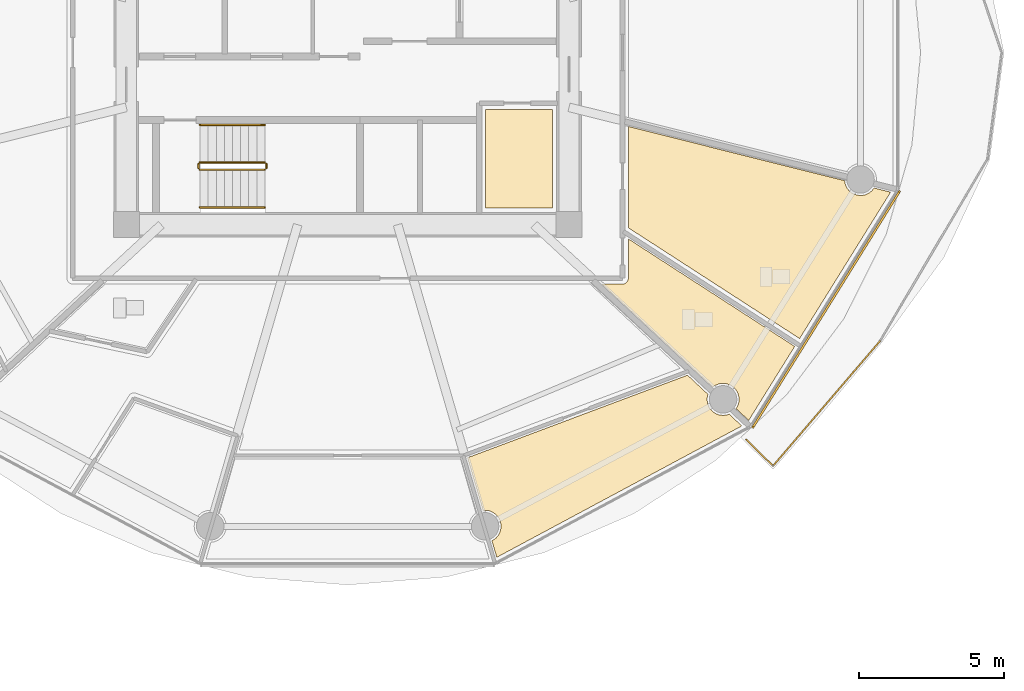
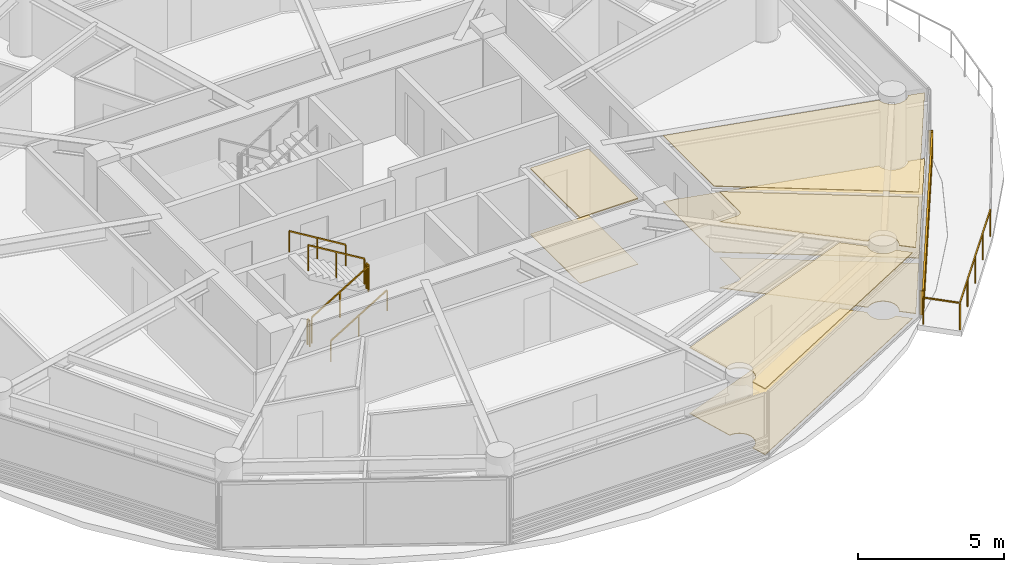
# One storey, part 27 of 31: 8 coverings, 7 railings, 1 shading device.
"""IFC4 building model written with IfcOpenShell, lengths in metres."""

from ifc_helpers import new_model, si_unit, direction, frame, origin, origin_2d, place, context, subcontext, project, spatial, polyline, rectangle, outline, extrude, source, transform, mapped, material, layer, layer_set, type_object, type_shapes, element, save


model = new_model("IFC4")

# Units and contexts
model_context = context("Model", 3, precision=1e-05, world=origin(), true_north=direction((0.0, 1.0)))
body_context = subcontext(model_context, "Body", "Model", "MODEL_VIEW")
ifc_project = project(units=[si_unit("LENGTHUNIT", "METRE"), si_unit("AREAUNIT", "SQUARE_METRE"), si_unit("VOLUMEUNIT", "CUBIC_METRE"), si_unit("PLANEANGLEUNIT", "RADIAN"), si_unit("MASSUNIT", "GRAM", prefix="KILO")], contexts=[model_context])

# Site, building, storey
site_placement = place(None, origin())
site = spatial("IfcSite", under=ifc_project, at=site_placement, CompositionType="ELEMENT")
building_placement = place(site_placement, origin())
building = spatial("IfcBuilding", under=site, at=building_placement, Name="Norrkilde Senior Care Towers", CompositionType="ELEMENT")
storey_placement = place(building_placement, frame((0.0, 0.0, 42.949951171875)))
storey = spatial("IfcBuildingStorey", under=building, at=storey_placement, Name="L12", CompositionType="ELEMENT", Elevation=42.949951171875)

# Coverings
ifc_material_1 = material(Name="Nordic Ash Timber", Category="wood")
ifc_layer_1 = layer(ifc_material_1, 0.044921875)
ifc_layer_set_1 = layer_set([ifc_layer_1], Name="Nordic Ash Timber")
covering_type_1 = type_object("IfcCoveringType", Name="Acoustic Ash Timber Slatted Ceiling 45", PredefinedType="CEILING", material=ifc_layer_set_1)
covering_1_placement = place(storey_placement, frame((0.0, 0.0, 2.7451171875)))
element("IfcCovering", 1, at=covering_1_placement, inside=storey, type_object=covering_type_1, Name="L12 Suspended Ceiling 0189", PredefinedType="CEILING", context=body_context, shape_type="SweptSolid", body=[
    extrude(outline(polyline([(32.77001953125, -5.3798828125), (32.77001953125, -1.969970703125), (35.080078125, -1.969970703125), (35.080078125, -5.3798828125), (32.77001953125, -5.3798828125)])), origin(), (0.0, 0.0, 1.0), 0.044921875),
])
covering_2_placement = place(storey_placement, frame((0.0, 0.0, 2.7451171875)))
element("IfcCovering", 2, at=covering_2_placement, inside=storey, type_object=covering_type_1, Name="L12 Suspended Ceiling 0200", PredefinedType="CEILING", context=body_context, shape_type="SweptSolid", body=[
    extrude(outline(polyline([(33.1552734375, -17.443603515625), (32.986572265625, -16.86962890625), (33.02685546875, -16.85302734375), (33.141845703125, -16.764892578125), (33.22998046875, -16.64990234375), (33.285400390625, -16.51611328125), (33.304443359375, -16.37255859375), (33.285400390625, -16.228759765625), (33.22998046875, -16.094970703125), (33.141845703125, -15.97998046875), (33.02685546875, -15.891845703125), (32.89306640625, -15.83642578125), (32.749267578125, -15.8173828125), (32.679931640625, -15.82666015625), (32.143798828125, -14.00341796875), (39.744873046875, -11.1494140625), (40.4521484375, -11.810791015625), (40.439208984375, -11.841796875), (40.42041015625, -11.9853515625), (40.439208984375, -12.129150390625), (40.494873046875, -12.262939453125), (40.5830078125, -12.3779296875), (40.697998046875, -12.466064453125), (40.831787109375, -12.521484375), (40.975341796875, -12.54052734375), (41.119140625, -12.521484375), (41.183349609375, -12.494873046875), (41.62109375, -12.904296875), (33.1552734375, -17.443603515625)])), origin(), (0.0, 0.0, 1.0), 0.044921875),
])

# Railing
ifc_material_2 = material(Name="Anodised Aluminium", Category="aluminium")
railing_type_1 = type_object("IfcRailingType", Name="Balcony Swirl Ribbon Guardrail 1150", PredefinedType="GUARDRAIL", material=ifc_material_2)
railing_1_placement = place(storey_placement, frame((46.400146484375, -9.968017578125, 0.0)))
element("IfcRailing", 3, at=railing_1_placement, inside=storey, type_object=railing_type_1, Name="L12 Perimeter Safety Guard 01", PredefinedType="GUARDRAIL", context=body_context, shape_type="SweptSolid", body=[
    extrude(rectangle(XDim=0.048095703125, YDim=0.048095703125, at=origin_2d()), frame((0.0, 0.0, 1.1259765625), z_axis=(-0.650671125119, -0.759359655853, 0.0), x_axis=(0.759359655853, -0.650671125119, 0.0)), (0.0, 0.0, 1.0), 5.644287109375),
    extrude(rectangle(XDim=0.048095703125, YDim=0.048095703125, at=origin_2d()), frame((-3.728515625, -4.28857421875, 1.1259765625), z_axis=(-0.714461691067, 0.699674561491, 0.0), x_axis=(-0.699674561491, -0.714461691067, 0.0)), (0.0, 0.0, 1.0), 1.263427734375),
    extrude(rectangle(XDim=0.0419921875, YDim=0.0419921875, at=origin_2d()), origin(), (0.0, 0.0, 1.0), 1.099853515625),
    extrude(rectangle(XDim=0.0419921875, YDim=0.0419921875, at=origin_2d()), frame((-0.9248046875, -1.079345703125, 0.0)), (0.0, 0.0, 1.0), 1.099853515625),
    extrude(rectangle(XDim=0.0419921875, YDim=0.0419921875, at=origin_2d()), frame((-1.849609375, -2.15869140625, 0.0)), (0.0, 0.0, 1.0), 1.099853515625),
    extrude(rectangle(XDim=0.0419921875, YDim=0.0419921875, at=origin_2d()), frame((-2.7744140625, -3.23779296875, 0.0)), (0.0, 0.0, 1.0), 1.099853515625),
    extrude(rectangle(XDim=0.0419921875, YDim=0.0419921875, at=origin_2d()), frame((-3.69921875, -4.317138671875, 0.0)), (0.0, 0.0, 1.0), 1.099853515625),
    extrude(rectangle(XDim=0.0419921875, YDim=0.0419921875, at=origin_2d()), frame((-4.631103515625, -3.404541015625, 0.0)), (0.0, 0.0, 1.0), 1.099853515625),
])

# Coverings
ifc_material_3 = material(Name="Gypsum Acoustic Board")
ifc_layer_2 = layer(ifc_material_3, 0.030029296875)
ifc_layer_set_2 = layer_set([ifc_layer_2], Name="Gypsum Acoustic Board")
covering_type_2 = type_object("IfcCoveringType", Name="Medical Cleanable Gypsum Ceiling 30", PredefinedType="CEILING", material=ifc_layer_set_2)
covering_3_placement = place(storey_placement, frame((0.0, 0.0, 2.760009765625)))
element("IfcCovering", 4, at=covering_3_placement, inside=storey, type_object=covering_type_2, Name="L12 Suspended Ceiling 0201", PredefinedType="CEILING", context=body_context, shape_type="SweptSolid", body=[
    extrude(outline(polyline([(37.533203125, -7.9970703125), (37.544677734375, -7.994873046875), (37.552490234375, -7.992919921875), (37.563720703125, -7.989501953125), (37.571044921875, -7.98681640625), (37.58203125, -7.982421875), (37.589111328125, -7.97900390625), (37.599365234375, -7.973388671875), (37.606201171875, -7.969482421875), (37.615966796875, -7.962890625), (37.622314453125, -7.958251953125), (37.63134765625, -7.95068359375), (37.63720703125, -7.945556640625), (37.6455078125, -7.937255859375), (37.65087890625, -7.931396484375), (37.658203125, -7.92236328125), (37.662841796875, -7.916015625), (37.66943359375, -7.90625), (37.673583984375, -7.8994140625), (37.678955078125, -7.888916015625), (37.682373046875, -7.8818359375), (37.68701171875, -7.87109375), (37.689453125, -7.86376953125), (37.69287109375, -7.852294921875), (37.69482421875, -7.8447265625), (37.697265625, -7.833251953125), (37.6982421875, -7.825439453125), (37.699462890625, -7.813720703125), (37.699951171875, -7.805908203125), (37.699951171875, -7.800048828125), (37.699951171875, -6.437744140625), (43.45068359375, -10.156005859375), (41.861328125, -12.71240234375), (41.42333984375, -12.3056640625), (41.4560546875, -12.262939453125), (41.511474609375, -12.129150390625), (41.530517578125, -11.9853515625), (41.511474609375, -11.841796875), (41.4560546875, -11.7080078125), (41.367919921875, -11.593017578125), (41.2529296875, -11.5048828125), (41.119140625, -11.449462890625), (40.975341796875, -11.430419921875), (40.831787109375, -11.449462890625), (40.697998046875, -11.5048828125), (40.623046875, -11.562255859375), (36.788330078125, -8.0), (37.5, -8.0), (37.505859375, -7.999755859375), (37.513671875, -7.99951171875), (37.525390625, -7.998291015625), (37.533203125, -7.9970703125)])), origin(), (0.0, 0.0, 1.0), 0.030029296875),
])
covering_4_placement = place(storey_placement, frame((0.0, 0.0, 2.760009765625)))
element("IfcCovering", 5, at=covering_4_placement, inside=storey, type_object=covering_type_2, Name="L12 Suspended Ceiling 0202", PredefinedType="CEILING", context=body_context, shape_type="SweptSolid", body=[
    extrude(outline(polyline([(45.175048828125, -4.427978515625), (45.188720703125, -4.530517578125), (45.244140625, -4.66455078125), (45.332275390625, -4.779541015625), (45.447265625, -4.86767578125), (45.5810546875, -4.923095703125), (45.724853515625, -4.94189453125), (45.868408203125, -4.923095703125), (46.002197265625, -4.86767578125), (46.1171875, -4.779541015625), (46.19140625, -4.6826171875), (46.763916015625, -4.826171875), (43.61962890625, -9.88427734375), (37.699951171875, -6.056640625), (37.699951171875, -2.5546875), (45.175048828125, -4.427978515625)])), origin(), (0.0, 0.0, 1.0), 0.030029296875),
])
ifc_material_4 = material(Name="Slip-Resistant Porcelain Stone", Category="masonry")
ifc_layer_3 = layer(ifc_material_4, 0.02490234375)
ifc_layer_set_3 = layer_set([ifc_layer_3], Name="Slip-Resistant Porcelain Stone")
covering_type_3 = type_object("IfcCoveringType", Name="Slip-Resistant Porcelain Flooring 25", PredefinedType="FLOORING", material=ifc_layer_set_3)
covering_5_placement = place(storey_placement, origin())
element("IfcCovering", 6, at=covering_5_placement, inside=storey, type_object=covering_type_3, Name="L12 Floor Finish 0189", PredefinedType="FLOORING", context=body_context, shape_type="SweptSolid", body=[
    extrude(outline(polyline([(32.77001953125, -5.3798828125), (32.77001953125, -1.969970703125), (35.080078125, -1.969970703125), (35.080078125, -5.3798828125), (32.77001953125, -5.3798828125)])), origin(), (0.0, 0.0, 1.0), 0.025146484375),
])
covering_6_placement = place(storey_placement, origin())
element("IfcCovering", 7, at=covering_6_placement, inside=storey, type_object=covering_type_3, Name="L12 Floor Finish 0200", PredefinedType="FLOORING", context=body_context, shape_type="SweptSolid", body=[
    extrude(outline(polyline([(33.1552734375, -17.443603515625), (32.986572265625, -16.86962890625), (33.02685546875, -16.85302734375), (33.141845703125, -16.764892578125), (33.22998046875, -16.64990234375), (33.285400390625, -16.51611328125), (33.304443359375, -16.37255859375), (33.285400390625, -16.228759765625), (33.22998046875, -16.094970703125), (33.141845703125, -15.97998046875), (33.02685546875, -15.891845703125), (32.89306640625, -15.83642578125), (32.749267578125, -15.8173828125), (32.679931640625, -15.82666015625), (32.143798828125, -14.00341796875), (39.744873046875, -11.1494140625), (40.4521484375, -11.810791015625), (40.439208984375, -11.841796875), (40.42041015625, -11.9853515625), (40.439208984375, -12.129150390625), (40.494873046875, -12.262939453125), (40.5830078125, -12.3779296875), (40.697998046875, -12.466064453125), (40.831787109375, -12.521484375), (40.975341796875, -12.54052734375), (41.119140625, -12.521484375), (41.183349609375, -12.494873046875), (41.62109375, -12.904296875), (33.1552734375, -17.443603515625)])), origin(), (0.0, 0.0, 1.0), 0.025146484375),
])
covering_7_placement = place(storey_placement, origin())
element("IfcCovering", 8, at=covering_7_placement, inside=storey, type_object=covering_type_3, Name="L12 Floor Finish 0201", PredefinedType="FLOORING", context=body_context, shape_type="SweptSolid", body=[
    extrude(outline(polyline([(37.533203125, -7.9970703125), (37.544677734375, -7.994873046875), (37.552490234375, -7.992919921875), (37.563720703125, -7.989501953125), (37.571044921875, -7.98681640625), (37.58203125, -7.982421875), (37.589111328125, -7.97900390625), (37.599365234375, -7.973388671875), (37.606201171875, -7.969482421875), (37.615966796875, -7.962890625), (37.622314453125, -7.958251953125), (37.63134765625, -7.95068359375), (37.63720703125, -7.945556640625), (37.6455078125, -7.937255859375), (37.65087890625, -7.931396484375), (37.658203125, -7.92236328125), (37.662841796875, -7.916015625), (37.66943359375, -7.90625), (37.673583984375, -7.8994140625), (37.678955078125, -7.888916015625), (37.682373046875, -7.8818359375), (37.68701171875, -7.87109375), (37.689453125, -7.86376953125), (37.69287109375, -7.852294921875), (37.69482421875, -7.8447265625), (37.697265625, -7.833251953125), (37.6982421875, -7.825439453125), (37.699462890625, -7.813720703125), (37.699951171875, -7.805908203125), (37.699951171875, -7.800048828125), (37.699951171875, -6.437744140625), (43.45068359375, -10.156005859375), (41.861328125, -12.71240234375), (41.42333984375, -12.3056640625), (41.4560546875, -12.262939453125), (41.511474609375, -12.129150390625), (41.530517578125, -11.9853515625), (41.511474609375, -11.841796875), (41.4560546875, -11.7080078125), (41.367919921875, -11.593017578125), (41.2529296875, -11.5048828125), (41.119140625, -11.449462890625), (40.975341796875, -11.430419921875), (40.831787109375, -11.449462890625), (40.697998046875, -11.5048828125), (40.623046875, -11.562255859375), (36.788330078125, -8.0), (37.5, -8.0), (37.505859375, -7.999755859375), (37.513671875, -7.99951171875), (37.525390625, -7.998291015625), (37.533203125, -7.9970703125)])), origin(), (0.0, 0.0, 1.0), 0.025146484375),
])
covering_8_placement = place(storey_placement, origin())
element("IfcCovering", 9, at=covering_8_placement, inside=storey, type_object=covering_type_3, Name="L12 Floor Finish 0202", PredefinedType="FLOORING", context=body_context, shape_type="SweptSolid", body=[
    extrude(outline(polyline([(45.175048828125, -4.427978515625), (45.188720703125, -4.530517578125), (45.244140625, -4.66455078125), (45.332275390625, -4.779541015625), (45.447265625, -4.86767578125), (45.5810546875, -4.923095703125), (45.724853515625, -4.94189453125), (45.868408203125, -4.923095703125), (46.002197265625, -4.86767578125), (46.1171875, -4.779541015625), (46.19140625, -4.6826171875), (46.763916015625, -4.826171875), (43.61962890625, -9.88427734375), (37.699951171875, -6.056640625), (37.699951171875, -2.5546875), (45.175048828125, -4.427978515625)])), origin(), (0.0, 0.0, 1.0), 0.025146484375),
])

# Railings
ifc_material_5 = material(Name="Stainless Steel", Category="steel")
railing_type_2 = type_object("IfcRailingType", Name="Stair and Terrace Guardrail 1100", PredefinedType="GUARDRAIL", material=ifc_material_5)
railing_2_placement = place(storey_placement, frame((22.89990234375, -4.050048828125, 0.16943359375)))
element("IfcRailing", 10, at=railing_2_placement, inside=storey, type_object=railing_type_2, Name="L12 ST-E2 stair guard 1", PredefinedType="GUARDRAIL", context=body_context, shape_type="SweptSolid", body=[
    extrude(rectangle(XDim=0.048095703125, YDim=0.048095703125, at=origin_2d()), frame((0.0, 0.0, 1.076171875), z_axis=(0.855512035549, 0.0, 0.517782924622), x_axis=(0.0, 1.0, 0.0)), (0.0, 0.0, 1.0), 2.618408203125),
    extrude(rectangle(XDim=0.0419921875, YDim=0.0419921875, at=origin_2d()), origin(), (0.0, 0.0, 1.0), 1.050048828125),
    extrude(rectangle(XDim=0.0419921875, YDim=0.0419921875, at=origin_2d()), frame((1.1201171875, 0.0, 0.677734375)), (0.0, 0.0, 1.0), 1.050048828125),
    extrude(rectangle(XDim=0.0419921875, YDim=0.0419921875, at=origin_2d()), frame((2.239990234375, 0.0, 1.355712890625)), (0.0, 0.0, 1.0), 1.050048828125),
])
railing_3_placement = place(storey_placement, frame((25.18994140625, -4.0, 1.525146484375)))
element("IfcRailing", 11, at=railing_3_placement, inside=storey, type_object=railing_type_2, Name="L12 ST-E2 stair guard 2", PredefinedType="GUARDRAIL", context=body_context, shape_type="SweptSolid", body=[
    extrude(rectangle(XDim=0.048095703125, YDim=0.048095703125, at=origin_2d()), frame((0.0, 0.0, 1.076171875), z_axis=(0.0, 1.0, 0.0), x_axis=(-1.0, 0.0, 0.0)), (0.0, 0.0, 1.0), 0.14990234375),
    extrude(rectangle(XDim=0.0419921875, YDim=0.0419921875, at=origin_2d()), origin(), (0.0, 0.0, 1.0), 1.050048828125),
    extrude(rectangle(XDim=0.0419921875, YDim=0.0419921875, at=origin_2d()), frame((0.0, 0.14990234375, 0.0)), (0.0, 0.0, 1.0), 1.050048828125),
])
railing_4_placement = place(storey_placement, frame((25.139892578125, -3.800048828125, 1.694580078125)))
element("IfcRailing", 12, at=railing_4_placement, inside=storey, type_object=railing_type_2, Name="L12 ST-E2 stair guard 3", PredefinedType="GUARDRAIL", context=body_context, shape_type="SweptSolid", body=[
    extrude(rectangle(XDim=0.048095703125, YDim=0.048095703125, at=origin_2d()), frame((0.0, 0.0, 1.076171875), z_axis=(-0.855553338991, 0.0, 0.51771467445), x_axis=(0.0, -1.0, 0.0)), (0.0, 0.0, 1.0), 2.6181640625),
    extrude(rectangle(XDim=0.0419921875, YDim=0.0419921875, at=origin_2d()), origin(), (0.0, 0.0, 1.0), 1.050048828125),
    extrude(rectangle(XDim=0.0419921875, YDim=0.0419921875, at=origin_2d()), frame((-1.1201171875, 0.0, 0.677734375)), (0.0, 0.0, 1.0), 1.050048828125),
    extrude(rectangle(XDim=0.0419921875, YDim=0.0419921875, at=origin_2d()), frame((-2.239990234375, 0.0, 1.35546875)), (0.0, 0.0, 1.0), 1.050048828125),
])
railing_5_placement = place(storey_placement, frame((22.85009765625, -4.0, 0.0)))
element("IfcRailing", 13, at=railing_5_placement, inside=storey, type_object=railing_type_2, Name="L12 ST-E2 stair guard 4", PredefinedType="GUARDRAIL", context=body_context, shape_type="SweptSolid", body=[
    extrude(rectangle(XDim=0.048095703125, YDim=0.048095703125, at=origin_2d()), frame((0.0, 0.0, 1.076171875), z_axis=(0.0, 1.0, 0.0), x_axis=(-1.0, 0.0, 0.0)), (0.0, 0.0, 1.0), 0.14990234375),
    extrude(rectangle(XDim=0.0419921875, YDim=0.0419921875, at=origin_2d()), origin(), (0.0, 0.0, 1.0), 1.050048828125),
    extrude(rectangle(XDim=0.0419921875, YDim=0.0419921875, at=origin_2d()), frame((0.0, 0.14990234375, 0.0)), (0.0, 0.0, 1.0), 1.050048828125),
])
railing_type_3 = type_object("IfcRailingType", Name="Wall and Stair Handrail 900", PredefinedType="HANDRAIL", material=ifc_material_1)
railing_6_placement = place(storey_placement, frame((22.89990234375, -5.35009765625, 0.16943359375)))
element("IfcRailing", 14, at=railing_6_placement, inside=storey, type_object=railing_type_3, Name="L12 ST-E2 stair handrail 1", PredefinedType="HANDRAIL", context=body_context, shape_type="SweptSolid", body=[
    extrude(rectangle(XDim=0.048095703125, YDim=0.048095703125, at=origin_2d()), frame((0.0, 0.0, 0.8759765625), z_axis=(0.855512035549, 0.0, 0.517782924622), x_axis=(0.0, 1.0, 0.0)), (0.0, 0.0, 1.0), 2.618408203125),
    extrude(rectangle(XDim=0.0419921875, YDim=0.0419921875, at=origin_2d()), origin(), (0.0, 0.0, 1.0), 0.849853515625),
    extrude(rectangle(XDim=0.0419921875, YDim=0.0419921875, at=origin_2d()), frame((1.1201171875, 0.0, 0.677734375)), (0.0, 0.0, 1.0), 0.849853515625),
    extrude(rectangle(XDim=0.0419921875, YDim=0.0419921875, at=origin_2d()), frame((2.239990234375, 0.0, 1.355712890625)), (0.0, 0.0, 1.0), 0.849853515625),
])
railing_7_placement = place(storey_placement, frame((25.139892578125, -2.5, 1.694580078125)))
element("IfcRailing", 15, at=railing_7_placement, inside=storey, type_object=railing_type_3, Name="L12 ST-E2 stair handrail 2", PredefinedType="HANDRAIL", context=body_context, shape_type="SweptSolid", body=[
    extrude(rectangle(XDim=0.048095703125, YDim=0.048095703125, at=origin_2d()), frame((0.0, 0.0, 0.8759765625), z_axis=(-0.855553338991, 0.0, 0.51771467445), x_axis=(0.0, -1.0, 0.0)), (0.0, 0.0, 1.0), 2.6181640625),
    extrude(rectangle(XDim=0.0419921875, YDim=0.0419921875, at=origin_2d()), origin(), (0.0, 0.0, 1.0), 0.849853515625),
    extrude(rectangle(XDim=0.0419921875, YDim=0.0419921875, at=origin_2d()), frame((-1.1201171875, 0.0, 0.677734375)), (0.0, 0.0, 1.0), 0.849853515625),
    extrude(rectangle(XDim=0.0419921875, YDim=0.0419921875, at=origin_2d()), frame((-2.239990234375, 0.0, 1.35546875)), (0.0, 0.0, 1.0), 0.849853515625),
])

# Shading device
ifc_material_6 = material(Name="Architectural Terracotta", Category="masonry")
shading_device_type = type_object("IfcShadingDeviceType", Name="Horizontal Terracotta Baguette Rack", PredefinedType="USERDEFINED", material=ifc_material_6)
shared_shape = source(origin(), body_context, "Body", "SweptSolid", [
    extrude(rectangle(XDim=0.070068359375, YDim=0.110107421875, at=origin_2d()), frame((0.0, 0.090087890625, 0.125), z_axis=(1.0, 0.0, 0.0), x_axis=(0.0, 1.0, 0.0)), (0.0, 0.0, 1.0), 9.64892578125),
    extrude(rectangle(XDim=0.070068359375, YDim=0.110107421875, at=origin_2d()), frame((0.0, 0.090087890625, 0.375), z_axis=(1.0, 0.0, 0.0), x_axis=(0.0, 1.0, 0.0)), (0.0, 0.0, 1.0), 9.64892578125),
    extrude(rectangle(XDim=0.070068359375, YDim=0.110107421875, at=origin_2d()), frame((0.0, 0.090087890625, 0.625), z_axis=(1.0, 0.0, 0.0), x_axis=(0.0, 1.0, 0.0)), (0.0, 0.0, 1.0), 9.64892578125),
    extrude(rectangle(XDim=0.070068359375, YDim=0.110107421875, at=origin_2d()), frame((0.0, 0.090087890625, 0.875), z_axis=(1.0, 0.0, 0.0), x_axis=(0.0, 1.0, 0.0)), (0.0, 0.0, 1.0), 9.64892578125),
    extrude(rectangle(XDim=0.050048828125, YDim=0.1552734375, at=origin_2d()), frame((0.02490234375, 0.047607421875, 0.0)), (0.0, 0.0, 1.0), 1.0),
    extrude(rectangle(XDim=0.050048828125, YDim=0.1552734375, at=origin_2d()), frame((9.6240234375, 0.047607421875, 0.0)), (0.0, 0.0, 1.0), 1.0),
])
type_shapes(shading_device_type, [shared_shape])
shading_device_placement = place(storey_placement, frame((47.009521484375, -4.731201171875, 0.080078125), z_axis=(0.0, 0.0, 1.0), x_axis=(-0.527908506655, -0.849299124538, 0.0)))
element("IfcShadingDevice", 16, at=shading_device_placement, inside=storey, type_object=shading_device_type, Name="L12 Drum E Terracotta Baguette Screen 10", ObjectType="BAGUETTE", PredefinedType="USERDEFINED", context=body_context, shape_type="MappedRepresentation", body=[
    mapped(shared_shape, transform((0.0, 0.0, 0.0), x_axis=(1.0, 0.0, 0.0), y_axis=(0.0, 1.0, 0.0), z_axis=(0.0, 0.0, 1.0), scale=1.0)),
])

save(model, "model.ifc")
